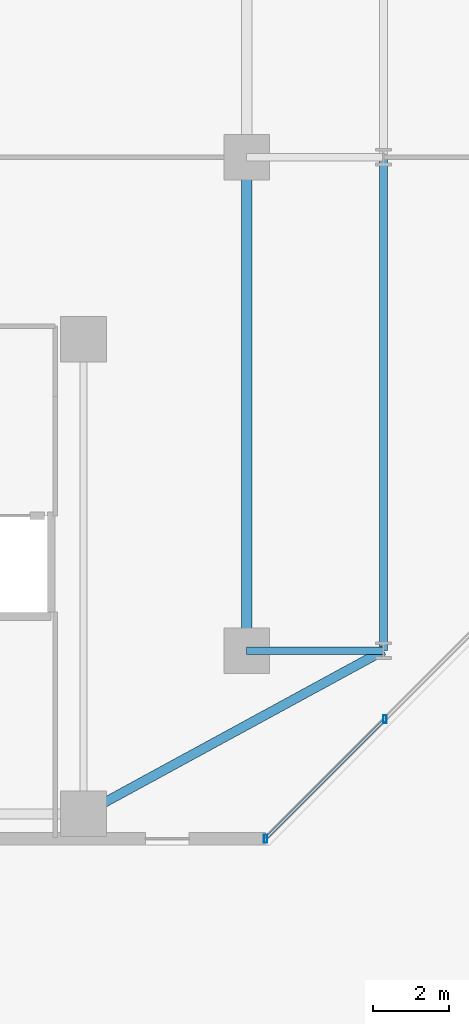
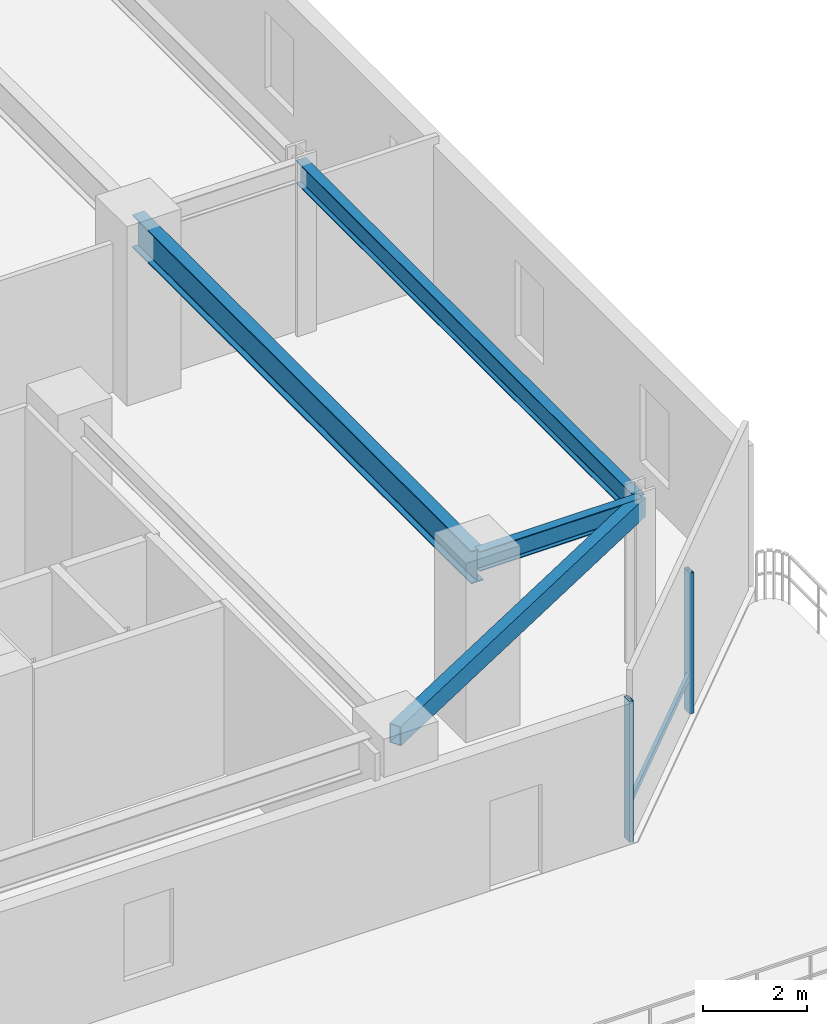
# One storey, part 5 of 30: 4 beams, 3 members, 1 element without a shape of its own.
"""IFC4 building model written with IfcOpenShell, lengths in metres."""

from ifc_helpers import new_model, si_unit, direction, frame, origin, origin_2d, place, context, subcontext, project, spatial, hollow_rectangle, i_section, extrude, material, material_profile, profile_set, type_object, element, aggregate, save


model = new_model("IFC4")

# Units and contexts
model_context = context("Model", 3, precision=1e-05, world=origin(), true_north=direction((0.0, 1.0)))
body_context = subcontext(model_context, "Body", "Model", "MODEL_VIEW")
ifc_project = project(units=[si_unit("LENGTHUNIT", "METRE"), si_unit("AREAUNIT", "SQUARE_METRE"), si_unit("VOLUMEUNIT", "CUBIC_METRE"), si_unit("PLANEANGLEUNIT", "RADIAN"), si_unit("MASSUNIT", "GRAM", prefix="KILO")], contexts=[model_context])

# Site, building, storey
site_placement = place(None, origin())
site = spatial("IfcSite", under=ifc_project, at=site_placement, CompositionType="ELEMENT")
building_placement = place(site_placement, origin())
building = spatial("IfcBuilding", under=site, at=building_placement, Name="Thornwick Lancets Civic Towers", CompositionType="ELEMENT")
storey_placement = place(building_placement, frame((0.0, 0.0, 75.89990234375)))
storey = spatial("IfcBuildingStorey", under=building, at=storey_placement, Name="L19", CompositionType="ELEMENT", Elevation=75.89990234375)

# Beams
ifc_material_1 = material(Name="Steel S355JR", Category="steel")
ifc_material_profile_1 = material_profile(ifc_material_1, i_section(OverallWidth=0.2119140625, OverallDepth=0.54443359375, WebThickness=0.0126953125, FlangeThickness=0.021240234375, FilletRadius=0.0126953125, at=origin_2d()), Name="UKB 533x210x122")
ifc_profile_set_1 = profile_set([ifc_material_profile_1], Name="Steel S355JR")
beam_type_1 = type_object("IfcBeamType", Name="BM_EDGE_533_122", PredefinedType="SPANDREL", material=ifc_profile_set_1)
beam_1_placement = place(storey_placement, frame((46.39990234375, 14.0, 3.687744140625), z_axis=(0.0, 1.0, 0.0), x_axis=(-1.0, 0.0, 0.0)))
element("IfcBeam", 1, at=beam_1_placement, inside=storey, type_object=beam_type_1, Name="BM-EDGE-L19-A-S1-1", PredefinedType="SPANDREL", context=body_context, shape_type="SweptSolid", body=[
    extrude(i_section(OverallWidth=0.2119140625, OverallDepth=0.54443359375, WebThickness=0.0126953125, FlangeThickness=0.021240234375, FilletRadius=0.0126953125, at=origin_2d()), origin(), (0.0, 0.0, 1.0), 13.0),
])
ifc_material_profile_2 = material_profile(ifc_material_1, i_section(OverallWidth=0.26806640625, OverallDepth=0.769775390625, WebThickness=0.015625, FlangeThickness=0.025390625, FilletRadius=0.0166015625, at=origin_2d()), Name="UKB 762x267x197")
ifc_profile_set_2 = profile_set([ifc_material_profile_2], Name="Steel S355JR")
beam_type_2 = type_object("IfcBeamType", Name="BM_GIRD_762_197", PredefinedType="BEAM", material=ifc_profile_set_2)
beam_2_placement = place(storey_placement, frame((42.800048828125, 14.0, 3.5751953125), z_axis=(0.0, 1.0, 0.0), x_axis=(-1.0, 0.0, 0.0)))
element("IfcBeam", 2, at=beam_2_placement, inside=storey, type_object=beam_type_2, Name="BM-SPINE-L19-A-3-4", PredefinedType="BEAM", context=body_context, shape_type="SweptSolid", body=[
    extrude(i_section(OverallWidth=0.26806640625, OverallDepth=0.769775390625, WebThickness=0.015625, FlangeThickness=0.025390625, FilletRadius=0.0166015625, at=origin_2d()), origin(), (0.0, 0.0, 1.0), 13.0),
])
ifc_material_profile_3 = material_profile(ifc_material_1, i_section(OverallWidth=0.19189453125, OverallDepth=0.46337890625, WebThickness=0.010498046875, FlangeThickness=0.017578125, FilletRadius=0.01025390625, at=origin_2d()), Name="UKB 457x191x89")
ifc_profile_set_3 = profile_set([ifc_material_profile_3], Name="Steel S355JR")
beam_type_3 = type_object("IfcBeamType", Name="BM_JOIST_457_89", PredefinedType="JOIST", material=ifc_profile_set_3)
beam_3_placement = place(storey_placement, frame((42.800048828125, 14.0, 3.728515625), z_axis=(1.0, 0.0, 0.0), x_axis=(0.0, 1.0, 0.0)))
element("IfcBeam", 3, at=beam_3_placement, inside=storey, type_object=beam_type_3, Name="BM-RAD-L19-A04", PredefinedType="JOIST", context=body_context, shape_type="SweptSolid", body=[
    extrude(i_section(OverallWidth=0.19189453125, OverallDepth=0.46337890625, WebThickness=0.010498046875, FlangeThickness=0.017578125, FilletRadius=0.01025390625, at=origin_2d()), origin(), (0.0, 0.0, 1.0), 3.599853515625),
])
ifc_material_profile_4 = material_profile(ifc_material_1, hollow_rectangle(XDim=0.25, YDim=0.449951171875, WallThickness=0.01611328125, at=origin_2d()), Name="RHS 450x250x16")
ifc_profile_set_4 = profile_set([ifc_material_profile_4], Name="Steel S355JR")
beam_type_4 = type_object("IfcBeamType", Name="BM_RING_RHS450", PredefinedType="BEAM", material=ifc_profile_set_4)
beam_4_placement = place(storey_placement, frame((38.5, 9.699951171875, 3.735107421875), z_axis=(0.878315357038, 0.478081722712, 0.0), x_axis=(-0.478081722712, 0.878315357038, 0.0)))
element("IfcBeam", 4, at=beam_4_placement, inside=storey, type_object=beam_type_4, Name="BM-CHAMF-L19-A-C0", PredefinedType="BEAM", context=body_context, shape_type="SweptSolid", body=[
    extrude(hollow_rectangle(XDim=0.25, YDim=0.449951171875, WallThickness=0.01611328125, at=origin_2d()), origin(), (0.0, 0.0, 1.0), 8.994384765625),
])

# Curtain wall, members
ifc_material_2 = material(Name="Low-zone chamfered-corner unitised glass curtain wall", Category="glass")
curtain_wall_type = type_object("IfcCurtainWallType", Name="CW_SYS_03", PredefinedType="NOTDEFINED", material=ifc_material_2)
curtain_wall_placement = place(storey_placement, origin())
curtain_wall = element("IfcCurtainWall", 5, at=curtain_wall_placement, inside=storey, type_object=curtain_wall_type, Name="L19 Curtain Wall CW-L19-A-E1", PredefinedType="NOTDEFINED")
ifc_material_3 = material(Name="Thermally broken bronze aluminium S355", Category="steel")
ifc_material_profile_5 = material_profile(ifc_material_3, hollow_rectangle(XDim=0.090087890625, YDim=0.219970703125, WallThickness=0.00634765625, at=origin_2d()), Name="RHS 220x90x6.3")
ifc_profile_set_5 = profile_set([ifc_material_profile_5], Name="Thermally broken bronze aluminium S355")
member_type_1 = type_object("IfcMemberType", Name="CW_MUL_220", PredefinedType="MULLION", material=ifc_profile_set_5)
member_1_placement = place(storey_placement, frame((43.296142578125, 9.047119140625, 0.0), z_axis=(0.0, 0.0, 1.0), x_axis=(1.0, 0.0, 0.0)))
member_1 = element("IfcMember", 6, at=member_1_placement, type_object=member_type_1, Name="CW-L19-A-E1 Mullion 0", PredefinedType="MULLION", context=body_context, shape_type="SweptSolid", body=[
    extrude(hollow_rectangle(XDim=0.090087890625, YDim=0.219970703125, WallThickness=0.00634765625, at=origin_2d()), origin(), (0.0, 0.0, 1.0), 3.300048828125),
])
member_2_placement = place(storey_placement, frame((46.440673828125, 12.19140625, 0.0), z_axis=(0.0, 0.0, 1.0), x_axis=(1.0, 0.0, 0.0)))
member_2 = element("IfcMember", 7, at=member_2_placement, type_object=member_type_1, Name="CW-L19-A-E1 Mullion 1", PredefinedType="MULLION", context=body_context, shape_type="SweptSolid", body=[
    extrude(hollow_rectangle(XDim=0.090087890625, YDim=0.219970703125, WallThickness=0.00634765625, at=origin_2d()), origin(), (0.0, 0.0, 1.0), 3.300048828125),
])
ifc_material_profile_6 = material_profile(ifc_material_3, hollow_rectangle(XDim=0.074951171875, YDim=0.14990234375, WallThickness=0.0048828125, at=origin_2d()), Name="RHS 150x75x5")
ifc_profile_set_6 = profile_set([ifc_material_profile_6], Name="Thermally broken bronze aluminium S355")
member_type_2 = type_object("IfcMemberType", Name="CW_TRN_150", PredefinedType="USERDEFINED", material=ifc_profile_set_6)
member_3_placement = place(storey_placement, frame((43.310302734375, 9.06103515625, 0.85009765625), z_axis=(0.707079082466, 0.707134478822, 0.0), x_axis=(-0.707134478822, 0.707079082466, 0.0)))
member_3 = element("IfcMember", 8, at=member_3_placement, type_object=member_type_2, Name="CW-L19-A-E1 Transom 0", ObjectType="TRANSOM", PredefinedType="USERDEFINED", context=body_context, shape_type="SweptSolid", body=[
    extrude(hollow_rectangle(XDim=0.074951171875, YDim=0.14990234375, WallThickness=0.0048828125, at=origin_2d()), origin(), (0.0, 0.0, 1.0), 4.4072265625),
])
aggregate(curtain_wall, [member_1, member_2, member_3])

save(model, "model.ifc")
